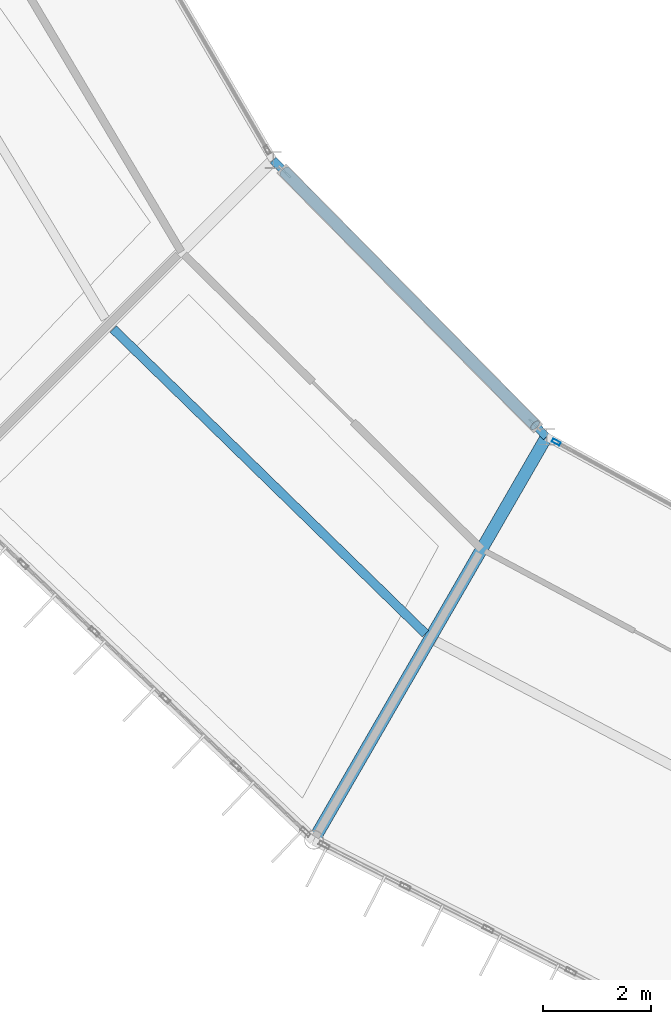
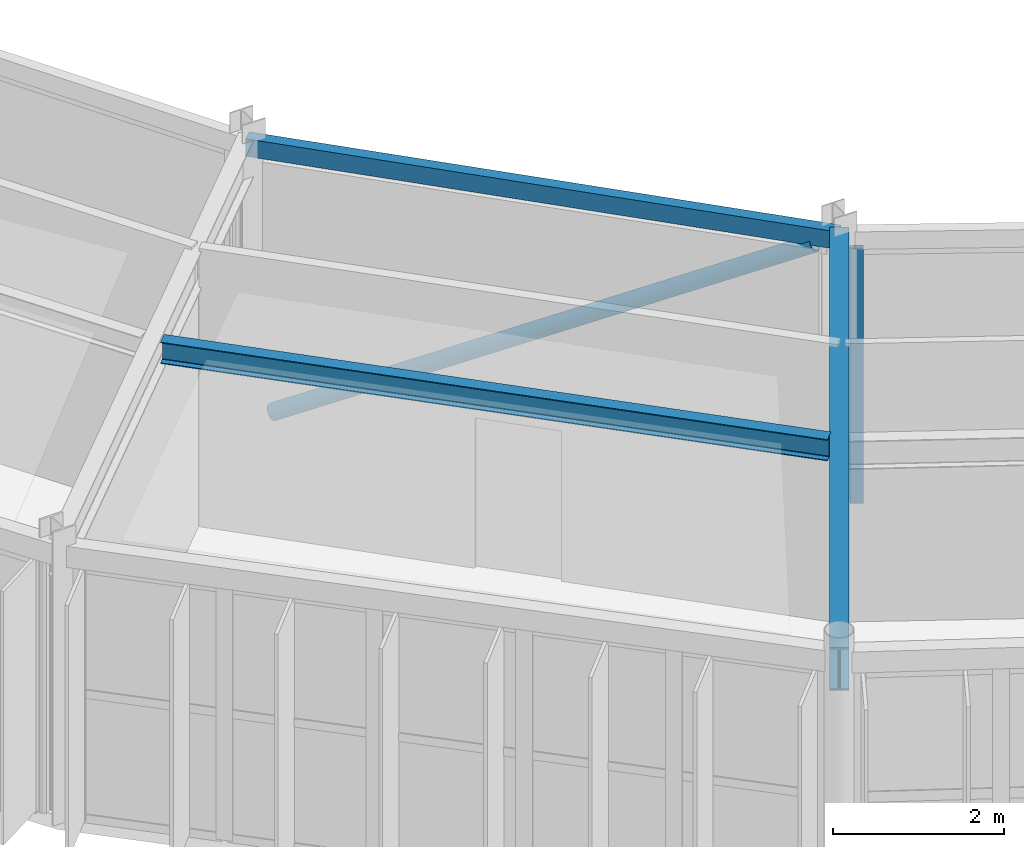
# One storey, part 29 of 148: 3 beams, 2 members, 1 element without a shape of its own.
"""IFC4 building model written with IfcOpenShell, lengths in metres."""

from ifc_helpers import new_model, si_unit, direction, frame, origin, origin_2d, place, context, subcontext, project, spatial, hollow_rectangle, hollow_circle, i_section, extrude, material, material_profile, profile_set, type_object, element, aggregate, save


model = new_model("IFC4")

# Units and contexts
model_context = context("Model", 3, precision=1e-05, world=origin(), true_north=direction((0.0, 1.0)))
body_context = subcontext(model_context, "Body", "Model", "MODEL_VIEW")
ifc_project = project(units=[si_unit("LENGTHUNIT", "METRE"), si_unit("AREAUNIT", "SQUARE_METRE"), si_unit("VOLUMEUNIT", "CUBIC_METRE"), si_unit("PLANEANGLEUNIT", "RADIAN"), si_unit("MASSUNIT", "GRAM", prefix="KILO")], contexts=[model_context])

# Site, building, storey
site_placement = place(None, origin())
site = spatial("IfcSite", under=ifc_project, at=site_placement, CompositionType="ELEMENT")
building_placement = place(site_placement, origin())
building = spatial("IfcBuilding", under=site, at=building_placement, Name="Karori Crest Natural Sciences Institute", CompositionType="ELEMENT")
storey_placement = place(building_placement, frame((0.0, 0.0, 4.89990234375)))
storey = spatial("IfcBuildingStorey", under=building, at=storey_placement, Name="L01", CompositionType="ELEMENT", Elevation=4.89990234375)

# Beams
ifc_material_1 = material(Name="Structural steel AS/NZS 3679.1 Grade 350", Category="steel")
ifc_material_profile_1 = material_profile(ifc_material_1, i_section(OverallWidth=0.22900390625, OverallDepth=0.612060546875, WebThickness=0.011962890625, FlangeThickness=0.01953125, FilletRadius=0.013916015625, at=origin_2d()), Name="610UB125")
ifc_profile_set_1 = profile_set([ifc_material_profile_1], Name="Structural steel AS/NZS 3679.1 Grade 350")
beam_type_1 = type_object("IfcBeamType", Name="BT-04", PredefinedType="BEAM", material=ifc_profile_set_1)
beam_1_placement = place(storey_placement, frame((54.199951171875, 22.013916015625, 3.634033203125), z_axis=(-0.500007509209, -0.866021068297, 0.0), x_axis=(0.866021068297, -0.500007509209, 0.0)))
element("IfcBeam", 1, at=beam_1_placement, inside=storey, type_object=beam_type_1, Name="Beam B-0242", PredefinedType="BEAM", context=body_context, shape_type="SweptSolid", body=[
    extrude(i_section(OverallWidth=0.22900390625, OverallDepth=0.612060546875, WebThickness=0.011962890625, FlangeThickness=0.01953125, FilletRadius=0.013916015625, at=origin_2d()), origin(), (0.0, 0.0, 1.0), 8.599853515625),
])
ifc_material_profile_2 = material_profile(ifc_material_1, i_section(OverallWidth=0.166015625, OverallDepth=0.306884765625, WebThickness=0.006591796875, FlangeThickness=0.01171875, FilletRadius=0.010986328125, at=origin_2d()), Name="310UB46.2")
ifc_profile_set_2 = profile_set([ifc_material_profile_2], Name="Structural steel AS/NZS 3679.1 Grade 350")
beam_type_2 = type_object("IfcBeamType", Name="BT-09", PredefinedType="BEAM", material=ifc_profile_set_2)
beam_2_placement = place(storey_placement, frame((46.19189453125, 24.0068359375, 3.78662109375), z_axis=(0.715681193625, -0.698427110794, 0.0), x_axis=(0.698427110794, 0.715681193625, 0.0)))
element("IfcBeam", 2, at=beam_2_placement, inside=storey, type_object=beam_type_2, Name="Beam B-0239", PredefinedType="BEAM", context=body_context, shape_type="SweptSolid", body=[
    extrude(i_section(OverallWidth=0.166015625, OverallDepth=0.306884765625, WebThickness=0.006591796875, FlangeThickness=0.01171875, FilletRadius=0.010986328125, at=origin_2d()), origin(), (0.0, 0.0, 1.0), 8.0654296875),
])
ifc_material_2 = material(Name="Hollow structural steel AS/NZS 1163 Grade C350", Category="steel")
ifc_material_profile_3 = material_profile(ifc_material_2, hollow_rectangle(XDim=0.14990234375, YDim=0.25, WallThickness=0.009033203125, at=origin_2d()), Name="RHS250x150x9")
ifc_profile_set_3 = profile_set([ifc_material_profile_3], Name="Hollow structural steel AS/NZS 1163 Grade C350")
beam_type_3 = type_object("IfcBeamType", Name="BT-16", PredefinedType="SPANDREL", material=ifc_profile_set_3)
beam_3_placement = place(storey_placement, frame((49.146484375, 27.131103515625, 3.7900390625), z_axis=(0.70266285879, -0.711522948946, 0.0), x_axis=(0.711522948946, 0.70266285879, 0.0)))
element("IfcBeam", 3, at=beam_3_placement, inside=storey, type_object=beam_type_3, Name="Beam B-0237", PredefinedType="SPANDREL", context=body_context, shape_type="SweptSolid", body=[
    extrude(hollow_rectangle(XDim=0.14990234375, YDim=0.25, WallThickness=0.009033203125, at=origin_2d()), origin(), (0.0, 0.0, 1.0), 7.19189453125),
])

# Curtain wall, member
ifc_material_3 = material(Name="Anodised architectural aluminium 6063-T6", Category="aluminium")
curtain_wall_type = type_object("IfcCurtainWallType", Name="CWT-12", PredefinedType="NOTDEFINED", material=ifc_material_3)
curtain_wall_placement = place(storey_placement, origin())
curtain_wall = element("IfcCurtainWall", 4, at=curtain_wall_placement, inside=storey, type_object=curtain_wall_type, Name="Curtain wall CW-0054", PredefinedType="NOTDEFINED")
ifc_material_profile_4 = material_profile(ifc_material_3, hollow_rectangle(XDim=0.06494140625, YDim=0.159912109375, WallThickness=0.00390625, at=origin_2d()), Name="CWM160x65x4")
ifc_profile_set_4 = profile_set([ifc_material_profile_4], Name="Anodised architectural aluminium 6063-T6")
member_type_1 = type_object("IfcMemberType", Name="CWM-01", PredefinedType="MULLION", material=ifc_profile_set_4)
member_1_placement = place(storey_placement, frame((54.379150390625, 21.916015625, 0.0), z_axis=(0.0, 0.0, 1.0), x_axis=(0.479643389875, 0.877463514084, 0.0)))
member_1 = element("IfcMember", 5, at=member_1_placement, type_object=member_type_1, Name="CW-0054 mullion 1", PredefinedType="MULLION", context=body_context, shape_type="SweptSolid", body=[
    extrude(hollow_rectangle(XDim=0.06494140625, YDim=0.159912109375, WallThickness=0.00390625, at=origin_2d()), origin(), (0.0, 0.0, 1.0), 3.650146484375),
])
aggregate(curtain_wall, [member_1])

# Member
ifc_material_profile_5 = material_profile(ifc_material_2, hollow_circle(Radius=0.109619140625, WallThickness=0.00830078125, at=origin_2d()), Name="CHS219.1x8.2")
ifc_profile_set_5 = profile_set([ifc_material_profile_5], Name="Hollow structural steel AS/NZS 1163 Grade C350")
member_type_2 = type_object("IfcMemberType", Name="MT-02", PredefinedType="BRACE", material=ifc_profile_set_5)
member_2_placement = place(storey_placement, frame((49.357421875, 26.917724609375, 0.010009765625), z_axis=(0.615109843924, -0.62285869764, 0.483411752736), x_axis=(0.711518857686, 0.702667001614, 0.0)))
element("IfcMember", 6, at=member_2_placement, inside=storey, type_object=member_type_2, Name="Diagonal Brace M-0011", PredefinedType="BRACE", context=body_context, shape_type="SweptSolid", body=[
    extrude(hollow_circle(Radius=0.109619140625, WallThickness=0.00830078125, at=origin_2d()), origin(), (0.0, 0.0, 1.0), 7.530029296875),
])

save(model, "model.ifc")
